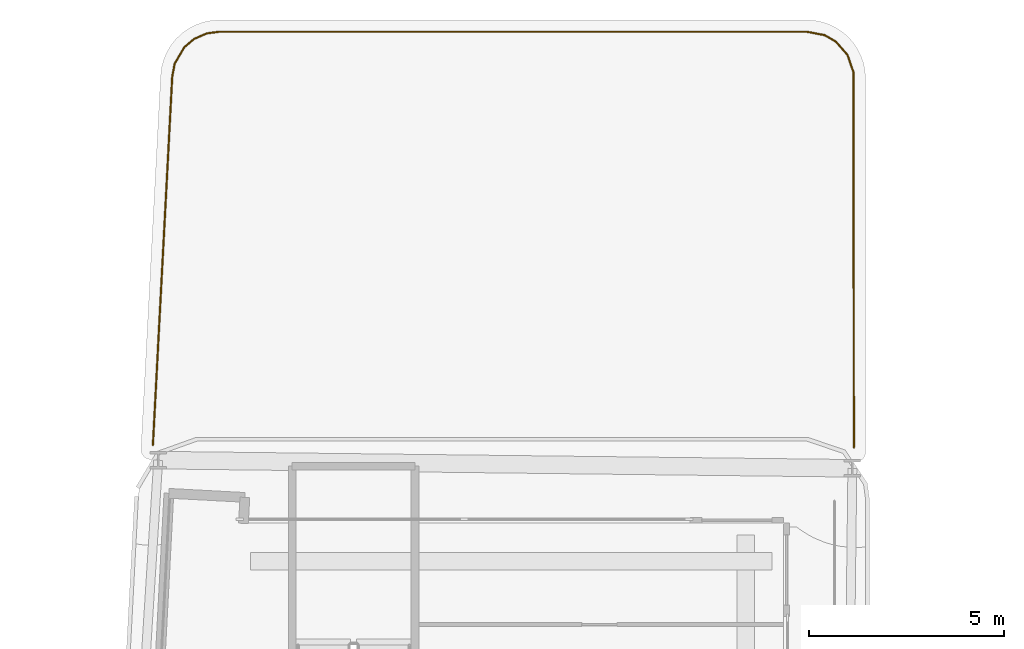
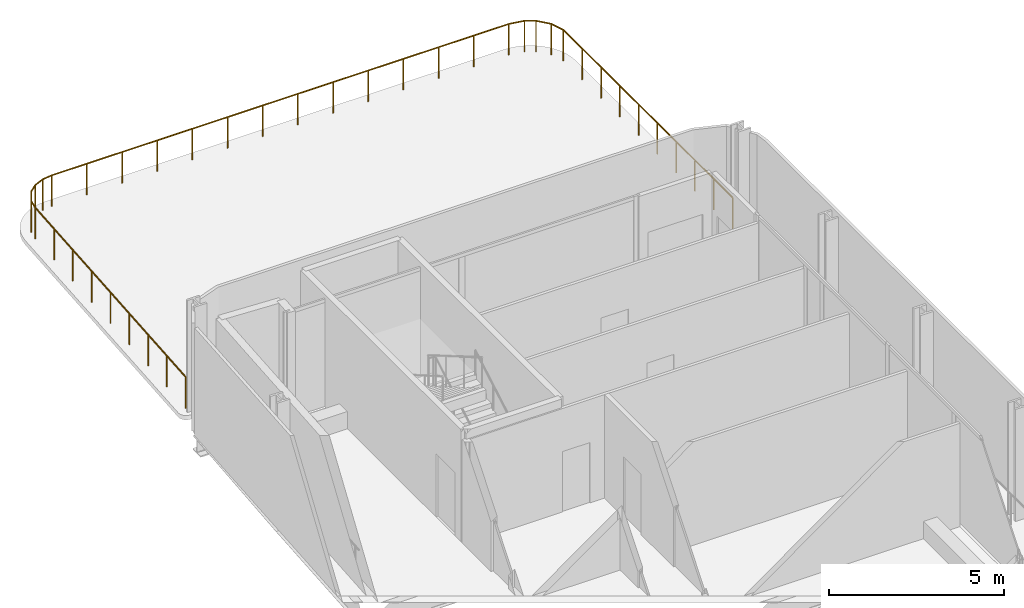
# One storey, part 27 of 28: 1 railing.
"""IFC4 building model written with IfcOpenShell, lengths in metres."""

from ifc_helpers import new_model, si_unit, direction, frame, origin, origin_2d, place, context, subcontext, project, spatial, circle, extrude, material, type_object, element, save


model = new_model("IFC4")

# Units and contexts
model_context = context("Model", 3, precision=1e-05, world=origin(), true_north=direction((0.0, 1.0)))
body_context = subcontext(model_context, "Body", "Model", "MODEL_VIEW")
ifc_project = project(units=[si_unit("LENGTHUNIT", "METRE"), si_unit("AREAUNIT", "SQUARE_METRE"), si_unit("VOLUMEUNIT", "CUBIC_METRE"), si_unit("PLANEANGLEUNIT", "RADIAN"), si_unit("MASSUNIT", "GRAM", prefix="KILO")], contexts=[model_context])

# Site, building, storey
site_placement = place(None, origin())
site = spatial("IfcSite", under=ifc_project, at=site_placement, CompositionType="ELEMENT")
building_placement = place(site_placement, origin())
building = spatial("IfcBuilding", under=site, at=building_placement, Name="Kheshtan School and Residences Tower", CompositionType="ELEMENT")
storey_placement = place(building_placement, frame((0.0, 0.0, 94.10009765625)))
storey = spatial("IfcBuildingStorey", under=building, at=storey_placement, Name="L21", CompositionType="ELEMENT", Elevation=94.10009765625)

# Railing
ifc_material = material(Name="Stainless steel balustrade", Category="steel")
railing_type = type_object("IfcRailingType", Name="Loggia guard 1100", PredefinedType="GUARDRAIL", material=ifc_material)
railing_placement = place(storey_placement, frame((29.72705078125, 89.10107421875, 0.0)))
element("IfcRailing", 1, at=railing_placement, inside=storey, type_object=railing_type, Name="Terrace guard L21 1", PredefinedType="GUARDRAIL", context=body_context, shape_type="SweptSolid", body=[
    extrude(circle(Radius=0.02392578125, at=origin_2d()), frame((0.0, 0.0, 1.076171875), z_axis=(0.052432817991, 0.998624453735, 0.0), x_axis=(-0.998624453735, 0.052432817991, 0.0)), (0.0, 0.0, 1.0), 9.456787109375),
    extrude(circle(Radius=0.02392578125, at=origin_2d()), frame((0.495849609375, 9.44384765625, 1.076171875), z_axis=(0.182552493759, 0.98319610812, 0.0), x_axis=(-0.98319610812, 0.182552493759, 0.0)), (0.0, 0.0, 1.0), 0.339599609375),
    extrude(circle(Radius=0.02392578125, at=origin_2d()), frame((0.557861328125, 9.77783203125, 1.076171875), z_axis=(0.505503265618, 0.862824691609, 0.0), x_axis=(-0.862824691609, 0.505503265618, 0.0)), (0.0, 0.0, 1.0), 0.49267578125),
    extrude(circle(Radius=0.02392578125, at=origin_2d()), frame((0.806884765625, 10.202880859375, 1.076171875), z_axis=(0.765528795951, 0.643401633951, 0.0), x_axis=(-0.643401633951, 0.765528795951, 0.0)), (0.0, 0.0, 1.0), 0.327880859375),
    extrude(circle(Radius=0.02392578125, at=origin_2d()), frame((1.057861328125, 10.413818359375, 1.076171875), z_axis=(0.915918115039, 0.401365178539, 0.0), x_axis=(-0.401365178539, 0.915918115039, 0.0)), (0.0, 0.0, 1.0), 0.3515625),
    extrude(circle(Radius=0.02392578125, at=origin_2d()), frame((1.3798828125, 10.554931640625, 1.076171875), z_axis=(0.991045565988, 0.133524103202, 0.0), x_axis=(-0.133524103202, 0.991045565988, 0.0)), (0.0, 0.0, 1.0), 0.3291015625),
    extrude(circle(Radius=0.02392578125, at=origin_2d()), frame((1.7060546875, 10.598876953125, 1.076171875), z_axis=(1.0, 0.0, 0.0), x_axis=(0.0, 1.0, 0.0)), (0.0, 0.0, 1.0), 15.055908203125),
    extrude(circle(Radius=0.02392578125, at=origin_2d()), frame((16.761962890625, 10.598876953125, 1.076171875), z_axis=(0.982065510661, -0.188540003102, 0.0), x_axis=(0.188540003102, 0.982065510661, 0.0)), (0.0, 0.0, 1.0), 0.471435546875),
    extrude(circle(Radius=0.02392578125, at=origin_2d()), frame((17.224853515625, 10.510009765625, 1.076171875), z_axis=(0.866036909293, -0.499980071345, 0.0), x_axis=(0.499980071345, 0.866036909293, 0.0)), (0.0, 0.0, 1.0), 0.328125),
    extrude(circle(Radius=0.02392578125, at=origin_2d()), frame((17.509033203125, 10.345947265625, 1.076171875), z_axis=(0.658999982497, -0.752142953879, 0.0), x_axis=(0.752142953879, 0.658999982497, 0.0)), (0.0, 0.0, 1.0), 0.453369140625),
    extrude(circle(Radius=0.02392578125, at=origin_2d()), frame((17.807861328125, 10.0048828125, 1.076171875), z_axis=(0.327325720244, -0.944911568808, 0.0), x_axis=(0.944911568808, 0.327325720244, 0.0)), (0.0, 0.0, 1.0), 0.4677734375),
    extrude(circle(Radius=0.02392578125, at=origin_2d()), frame((17.9609375, 9.56298828125, 1.076171875), z_axis=(0.001242644608, -0.999999227917, 0.0), x_axis=(0.999999227917, 0.001242644608, 0.0)), (0.0, 0.0, 1.0), 9.626953125),
    extrude(circle(Radius=0.02099609375, at=origin_2d()), origin(), (0.0, 0.0, 1.0), 1.052001953125),
    extrude(circle(Radius=0.02099609375, at=origin_2d()), frame((0.06201171875, 1.180419921875, 0.0)), (0.0, 0.0, 1.0), 1.052001953125),
    extrude(circle(Radius=0.02099609375, at=origin_2d()), frame((0.1240234375, 2.36083984375, 0.0)), (0.0, 0.0, 1.0), 1.052001953125),
    extrude(circle(Radius=0.02099609375, at=origin_2d()), frame((0.18603515625, 3.54150390625, 0.0)), (0.0, 0.0, 1.0), 1.052001953125),
    extrude(circle(Radius=0.02099609375, at=origin_2d()), frame((0.248046875, 4.721923828125, 0.0)), (0.0, 0.0, 1.0), 1.052001953125),
    extrude(circle(Radius=0.02099609375, at=origin_2d()), frame((0.309814453125, 5.90234375, 0.0)), (0.0, 0.0, 1.0), 1.052001953125),
    extrude(circle(Radius=0.02099609375, at=origin_2d()), frame((0.371826171875, 7.0830078125, 0.0)), (0.0, 0.0, 1.0), 1.052001953125),
    extrude(circle(Radius=0.02099609375, at=origin_2d()), frame((0.433837890625, 8.263427734375, 0.0)), (0.0, 0.0, 1.0), 1.052001953125),
    extrude(circle(Radius=0.02099609375, at=origin_2d()), frame((0.495849609375, 9.44384765625, 0.0)), (0.0, 0.0, 1.0), 1.052001953125),
    extrude(circle(Radius=0.02099609375, at=origin_2d()), frame((0.557861328125, 9.77783203125, 0.0)), (0.0, 0.0, 1.0), 1.052001953125),
    extrude(circle(Radius=0.02099609375, at=origin_2d()), frame((0.806884765625, 10.202880859375, 0.0)), (0.0, 0.0, 1.0), 1.052001953125),
    extrude(circle(Radius=0.02099609375, at=origin_2d()), frame((1.057861328125, 10.413818359375, 0.0)), (0.0, 0.0, 1.0), 1.052001953125),
    extrude(circle(Radius=0.02099609375, at=origin_2d()), frame((1.3798828125, 10.554931640625, 0.0)), (0.0, 0.0, 1.0), 1.052001953125),
    extrude(circle(Radius=0.02099609375, at=origin_2d()), frame((1.7060546875, 10.598876953125, 0.0)), (0.0, 0.0, 1.0), 1.052001953125),
    extrude(circle(Radius=0.02099609375, at=origin_2d()), frame((2.8642578125, 10.598876953125, 0.0)), (0.0, 0.0, 1.0), 1.052001953125),
    extrude(circle(Radius=0.02099609375, at=origin_2d()), frame((4.0224609375, 10.598876953125, 0.0)), (0.0, 0.0, 1.0), 1.052001953125),
    extrude(circle(Radius=0.02099609375, at=origin_2d()), frame((5.180419921875, 10.598876953125, 0.0)), (0.0, 0.0, 1.0), 1.052001953125),
    extrude(circle(Radius=0.02099609375, at=origin_2d()), frame((6.338623046875, 10.598876953125, 0.0)), (0.0, 0.0, 1.0), 1.052001953125),
    extrude(circle(Radius=0.02099609375, at=origin_2d()), frame((7.496826171875, 10.598876953125, 0.0)), (0.0, 0.0, 1.0), 1.052001953125),
    extrude(circle(Radius=0.02099609375, at=origin_2d()), frame((8.655029296875, 10.598876953125, 0.0)), (0.0, 0.0, 1.0), 1.052001953125),
    extrude(circle(Radius=0.02099609375, at=origin_2d()), frame((9.81298828125, 10.598876953125, 0.0)), (0.0, 0.0, 1.0), 1.052001953125),
    extrude(circle(Radius=0.02099609375, at=origin_2d()), frame((10.97119140625, 10.598876953125, 0.0)), (0.0, 0.0, 1.0), 1.052001953125),
    extrude(circle(Radius=0.02099609375, at=origin_2d()), frame((12.12939453125, 10.598876953125, 0.0)), (0.0, 0.0, 1.0), 1.052001953125),
    extrude(circle(Radius=0.02099609375, at=origin_2d()), frame((13.28759765625, 10.598876953125, 0.0)), (0.0, 0.0, 1.0), 1.052001953125),
    extrude(circle(Radius=0.02099609375, at=origin_2d()), frame((14.445556640625, 10.598876953125, 0.0)), (0.0, 0.0, 1.0), 1.052001953125),
    extrude(circle(Radius=0.02099609375, at=origin_2d()), frame((15.603759765625, 10.598876953125, 0.0)), (0.0, 0.0, 1.0), 1.052001953125),
    extrude(circle(Radius=0.02099609375, at=origin_2d()), frame((16.761962890625, 10.598876953125, 0.0)), (0.0, 0.0, 1.0), 1.052001953125),
    extrude(circle(Radius=0.02099609375, at=origin_2d()), frame((17.224853515625, 10.510009765625, 0.0)), (0.0, 0.0, 1.0), 1.052001953125),
    extrude(circle(Radius=0.02099609375, at=origin_2d()), frame((17.509033203125, 10.345947265625, 0.0)), (0.0, 0.0, 1.0), 1.052001953125),
    extrude(circle(Radius=0.02099609375, at=origin_2d()), frame((17.807861328125, 10.0048828125, 0.0)), (0.0, 0.0, 1.0), 1.052001953125),
    extrude(circle(Radius=0.02099609375, at=origin_2d()), frame((17.9609375, 9.56298828125, 0.0)), (0.0, 0.0, 1.0), 1.052001953125),
    extrude(circle(Radius=0.02099609375, at=origin_2d()), frame((17.962158203125, 8.493408203125, 0.0)), (0.0, 0.0, 1.0), 1.052001953125),
    extrude(circle(Radius=0.02099609375, at=origin_2d()), frame((17.963623046875, 7.423583984375, 0.0)), (0.0, 0.0, 1.0), 1.052001953125),
    extrude(circle(Radius=0.02099609375, at=origin_2d()), frame((17.96484375, 6.35400390625, 0.0)), (0.0, 0.0, 1.0), 1.052001953125),
    extrude(circle(Radius=0.02099609375, at=origin_2d()), frame((17.96630859375, 5.284423828125, 0.0)), (0.0, 0.0, 1.0), 1.052001953125),
    extrude(circle(Radius=0.02099609375, at=origin_2d()), frame((17.967529296875, 4.214599609375, 0.0)), (0.0, 0.0, 1.0), 1.052001953125),
    extrude(circle(Radius=0.02099609375, at=origin_2d()), frame((17.968994140625, 3.14501953125, 0.0)), (0.0, 0.0, 1.0), 1.052001953125),
    extrude(circle(Radius=0.02099609375, at=origin_2d()), frame((17.97021484375, 2.075439453125, 0.0)), (0.0, 0.0, 1.0), 1.052001953125),
    extrude(circle(Radius=0.02099609375, at=origin_2d()), frame((17.9716796875, 1.005615234375, 0.0)), (0.0, 0.0, 1.0), 1.052001953125),
    extrude(circle(Radius=0.02099609375, at=origin_2d()), frame((17.972900390625, -0.06396484375, 0.0)), (0.0, 0.0, 1.0), 1.052001953125),
])

save(model, "model.ifc")
